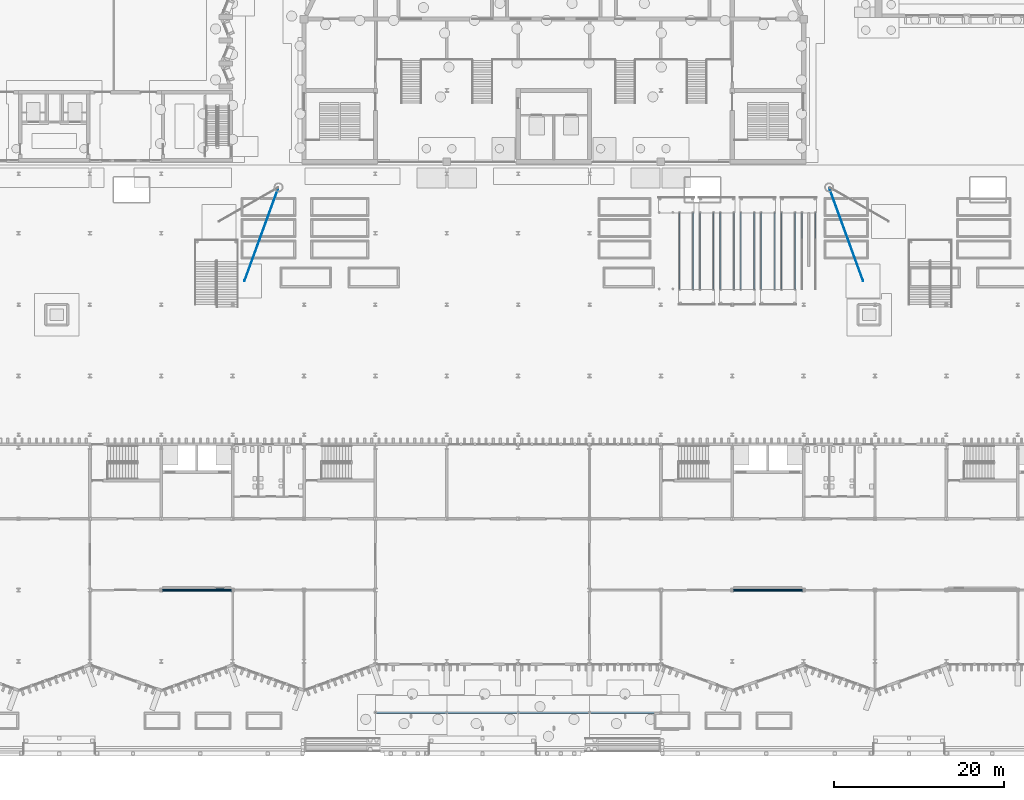
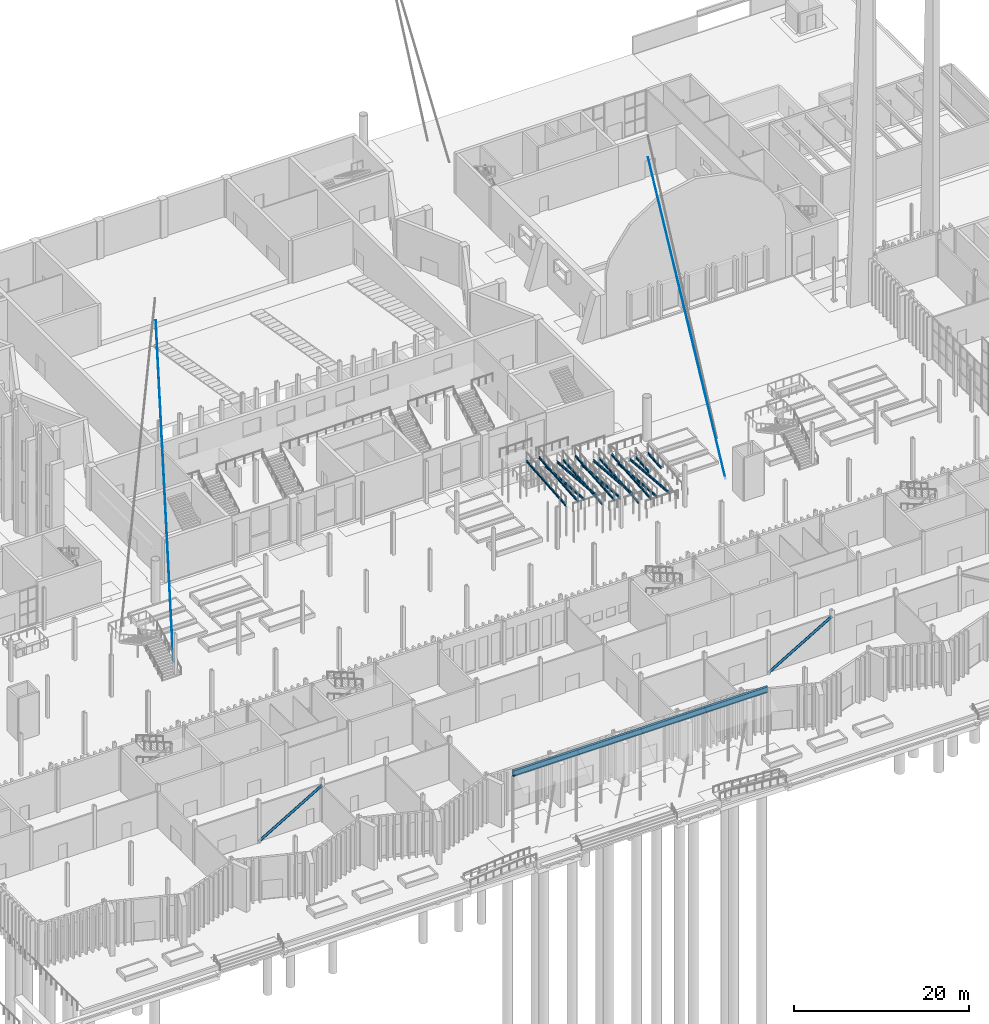
# One storey, part 36 of 108: 15 beams, 4 members.
"""IFC4 building model written with IfcOpenShell, lengths in metres."""

from ifc_helpers import new_model, si_unit, direction, frame, origin, origin_2d, place, context, subcontext, project, spatial, circle, hollow_circle, i_section, extrude, material, material_profile, profile_set, type_object, element, save


model = new_model("IFC4")

# Units and contexts
model_context = context("Model", 3, precision=1e-05, world=origin(), true_north=direction((0.0, 1.0)))
body_context = subcontext(model_context, "Body", "Model", "MODEL_VIEW")
ifc_project = project(units=[si_unit("LENGTHUNIT", "METRE"), si_unit("AREAUNIT", "SQUARE_METRE"), si_unit("VOLUMEUNIT", "CUBIC_METRE"), si_unit("PLANEANGLEUNIT", "RADIAN"), si_unit("MASSUNIT", "GRAM", prefix="KILO")], contexts=[model_context])

# Site, building, storey
site_placement = place(None, origin())
site = spatial("IfcSite", under=ifc_project, at=site_placement, CompositionType="ELEMENT")
building_placement = place(site_placement, origin())
building = spatial("IfcBuilding", under=site, at=building_placement, Name="Cresset Court Congress Hotel", CompositionType="ELEMENT")
storey_placement = place(building_placement, origin())
storey = spatial("IfcBuildingStorey", under=building, at=storey_placement, Name="L00", CompositionType="ELEMENT", Elevation=0.0)

# Members
ifc_material_1 = material(Name="Structural steel Q355B", Category="steel")
ifc_material_profile_1 = material_profile(ifc_material_1, circle(Radius=0.035888671875, at=origin_2d()), Name="CABLE72")
ifc_profile_set_1 = profile_set([ifc_material_profile_1], Name="Structural steel Q355B")
member_type_1 = type_object("IfcMemberType", Name="Back-tie cable 72", PredefinedType="USERDEFINED", material=ifc_profile_set_1)
for number, where, z_axis, x_axis, name in (
    (1, (55.75146484375, 55.666259765625, 39.312255859375), (-0.095757478712, -0.263328628035, -0.959941945603), (0.939791573518, -0.341748150462, 0.0), "Back-tie cable M1-2"),
    (2, (120.648681640625, 55.666259765625, 39.312255859375), (0.095751615074, -0.263328777254, -0.959942489569), (0.939798356643, 0.341729496606, 0.0), "Back-tie cable M2-2"),
):
    element("IfcMember", number, at=place(storey_placement, frame(where, z_axis=z_axis, x_axis=x_axis)), inside=storey, type_object=member_type_1, Name=name, ObjectType="CABLE", PredefinedType="USERDEFINED", context=body_context, shape_type="SweptSolid", body=[
        extrude(circle(Radius=0.035888671875, at=origin_2d()), origin(), (0.0, 0.0, 1.0), 41.254638671875),
    ])

# Beams
ifc_material_2 = material(Name="Structural steel Q355B", Category="steel")
ifc_material_profile_2 = material_profile(ifc_material_2, i_section(OverallWidth=0.300048828125, OverallDepth=0.800048828125, WebThickness=0.013916015625, FlangeThickness=0.02587890625, FilletRadius=0.01806640625, at=origin_2d()), Name="HN800x300x14x26")
ifc_profile_set_2 = profile_set([ifc_material_profile_2], Name="Structural steel Q355B")
beam_type_1 = type_object("IfcBeamType", Name="Forecourt canopy ridge beam HN800x300x14x26", PredefinedType="BEAM", material=ifc_profile_set_2)
beam_placement = place(storey_placement, frame((67.199951171875, -6.0, 9.550048828125), z_axis=(1.0, 0.0, 0.0), x_axis=(0.0, 1.0, 0.0)))
element("IfcBeam", 3, at=beam_placement, inside=storey, type_object=beam_type_1, Name="Forecourt canopy ridge beam", PredefinedType="BEAM", context=body_context, shape_type="SweptSolid", body=[
    extrude(i_section(OverallWidth=0.300048828125, OverallDepth=0.800048828125, WebThickness=0.013916015625, FlangeThickness=0.02587890625, FilletRadius=0.01806640625, at=origin_2d()), origin(), (0.0, 0.0, 1.0), 33.60009765625),
])
ifc_material_3 = material(Name="Structural steel Q355B", Category="steel")
ifc_material_profile_3 = material_profile(ifc_material_3, i_section(OverallWidth=0.14990234375, OverallDepth=0.300048828125, WebThickness=0.006591796875, FlangeThickness=0.009033203125, FilletRadius=0.012939453125, at=origin_2d()), Name="HN300x150x6.5x9")
ifc_profile_set_3 = profile_set([ifc_material_profile_3], Name="Structural steel Q355B")
beam_type_2 = type_object("IfcBeamType", Name="Steel beam HN300x150x6.5x9", PredefinedType="BEAM", material=ifc_profile_set_3)
for number, where, z_axis, x_axis, name in (
    (4, (103.0, 52.800048828125, 4.89990234375), (0.0, -0.996545758245, -0.083045479854), (1.0, 0.0, 0.0), "S.ramp.L01.D01.B2L"),
    (5, (104.60009765625, 52.800048828125, 4.89990234375), (0.0, -0.996545758245, -0.083045479854), (1.0, 0.0, 0.0), "S.ramp.L01.D01.B2R"),
    (6, (105.39990234375, 43.800048828125, 4.14990234375), (0.0, 0.996545758245, -0.083045479854), (-1.0, 0.0, 0.0), "S.ramp.L01.D01.B3L"),
    (7, (107.0, 43.800048828125, 4.14990234375), (0.0, 0.996545758245, -0.083045479854), (-1.0, 0.0, 0.0), "S.ramp.L01.D01.B3R"),
    (8, (107.800048828125, 52.800048828125, 3.39990234375), (0.0, -0.996545758245, -0.083045479854), (1.0, 0.0, 0.0), "S.ramp.L01.D01.B4L"),
    (9, (109.39990234375, 52.800048828125, 3.39990234375), (0.0, -0.996545758245, -0.083045479854), (1.0, 0.0, 0.0), "S.ramp.L01.D01.B4R"),
    (10, (110.199951171875, 43.800048828125, 2.64990234375), (0.0, 0.996545758245, -0.083045479854), (-1.0, 0.0, 0.0), "S.ramp.L01.D01.B5L"),
    (11, (111.800048828125, 43.800048828125, 2.64990234375), (0.0, 0.996545758245, -0.083045479854), (-1.0, 0.0, 0.0), "S.ramp.L01.D01.B5R"),
    (12, (112.60009765625, 52.800048828125, 1.89990234375), (0.0, -0.996545758245, -0.083045479854), (1.0, 0.0, 0.0), "S.ramp.L01.D01.B6L"),
    (13, (114.199951171875, 52.800048828125, 1.89990234375), (0.0, -0.996545758245, -0.083045479854), (1.0, 0.0, 0.0), "S.ramp.L01.D01.B6R"),
    (14, (115.0, 43.800048828125, 1.14990234375), (0.0, 0.996545758245, -0.083045479854), (-1.0, 0.0, 0.0), "S.ramp.L01.D01.B7L"),
    (15, (116.60009765625, 43.800048828125, 1.14990234375), (0.0, 0.996545758245, -0.083045479854), (-1.0, 0.0, 0.0), "S.ramp.L01.D01.B7R"),
):
    element("IfcBeam", number, at=place(storey_placement, frame(where, z_axis=z_axis, x_axis=x_axis)), inside=storey, type_object=beam_type_2, Name=name, PredefinedType="BEAM", context=body_context, shape_type="SweptSolid", body=[
        extrude(i_section(OverallWidth=0.14990234375, OverallDepth=0.300048828125, WebThickness=0.006591796875, FlangeThickness=0.009033203125, FilletRadius=0.012939453125, at=origin_2d()), origin(), (0.0, 0.0, 1.0), 9.03125),
    ])
for number, where, z_axis, x_axis, name in (
    (16, (117.39990234375, 52.800048828125, 0.39990234375), (0.0, -0.996545758245, -0.083045479854), (1.0, 0.0, 0.0), "S.ramp.L01.D01.B8L"),
    (17, (119.0, 52.800048828125, 0.39990234375), (0.0, -0.996545758245, -0.083045479854), (1.0, 0.0, 0.0), "S.ramp.L01.D01.B8R"),
):
    element("IfcBeam", number, at=place(storey_placement, frame(where, z_axis=z_axis, x_axis=x_axis)), inside=storey, type_object=beam_type_2, Name=name, PredefinedType="BEAM", context=body_context, shape_type="SweptSolid", body=[
        extrude(i_section(OverallWidth=0.14990234375, OverallDepth=0.300048828125, WebThickness=0.006591796875, FlangeThickness=0.009033203125, FilletRadius=0.012939453125, at=origin_2d()), origin(), (0.0, 0.0, 1.0), 3.010498046875),
    ])

# Members
ifc_material_4 = material(Name="Structural steel Q355B", Category="steel")
ifc_material_profile_4 = material_profile(ifc_material_4, hollow_circle(Radius=0.16259765625, WallThickness=0.013916015625, at=origin_2d()), Name="CHS325x14")
ifc_profile_set_4 = profile_set([ifc_material_profile_4], Name="Structural steel Q355B")
member_type_2 = type_object("IfcMemberType", Name="Steel brace CHS325x14", PredefinedType="BRACE", material=ifc_profile_set_4)
member_1_placement = place(storey_placement, frame((42.0, 8.39990234375, 0.10009765625), z_axis=(0.861088912589, 0.0, 0.508454407608), x_axis=(0.0, 1.0, 0.0)))
element("IfcMember", 18, at=member_1_placement, inside=storey, type_object=member_type_2, Name="Brace L00 6", PredefinedType="BRACE", context=body_context, shape_type="SweptSolid", body=[
    extrude(hollow_circle(Radius=0.16259765625, WallThickness=0.013916015625, at=origin_2d()), origin(), (0.0, 0.0, 1.0), 9.7548828125),
])
member_2_placement = place(storey_placement, frame((109.199951171875, 8.39990234375, 0.10009765625), z_axis=(0.861095382582, 0.0, 0.508443450244), x_axis=(0.0, 1.0, 0.0)))
element("IfcMember", 19, at=member_2_placement, inside=storey, type_object=member_type_2, Name="Brace L00 14", PredefinedType="BRACE", context=body_context, shape_type="SweptSolid", body=[
    extrude(hollow_circle(Radius=0.16259765625, WallThickness=0.013916015625, at=origin_2d()), origin(), (0.0, 0.0, 1.0), 9.755126953125),
])

save(model, "model.ifc")
